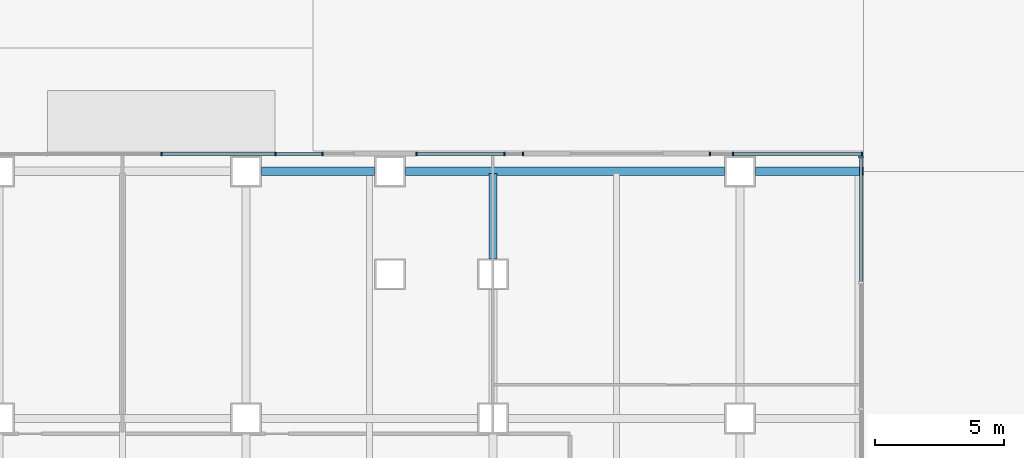
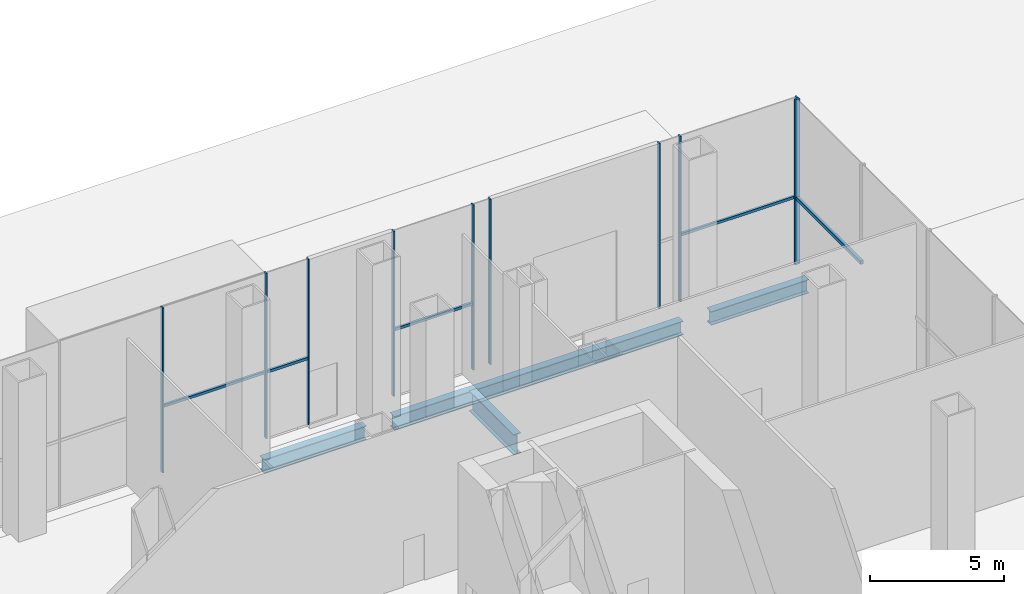
# One storey, part 18 of 36: 15 members, 4 beams, 4 elements without a shape of their own.
"""IFC4 building model written with IfcOpenShell, lengths in metres."""

from ifc_helpers import new_model, si_unit, direction, frame, origin, origin_2d, place, context, subcontext, project, spatial, rectangle, i_section, extrude, material, material_profile, profile_set, type_object, element, aggregate, save


model = new_model("IFC4")

# Units and contexts
model_context = context("Model", 3, precision=1e-05, world=origin(), true_north=direction((0.0, 1.0)))
body_context = subcontext(model_context, "Body", "Model", "MODEL_VIEW")
ifc_project = project(units=[si_unit("LENGTHUNIT", "METRE"), si_unit("AREAUNIT", "SQUARE_METRE"), si_unit("VOLUMEUNIT", "CUBIC_METRE"), si_unit("PLANEANGLEUNIT", "RADIAN"), si_unit("MASSUNIT", "GRAM", prefix="KILO")], contexts=[model_context])

# Site, building, storey
site_placement = place(None, origin())
site = spatial("IfcSite", under=ifc_project, at=site_placement, CompositionType="ELEMENT")
building_placement = place(site_placement, origin())
building = spatial("IfcBuilding", under=site, at=building_placement, Name="Cobrizo Arcos Hotel Tower", CompositionType="ELEMENT")
storey_placement = place(building_placement, origin())
storey = spatial("IfcBuildingStorey", under=building, at=storey_placement, Name="L00", CompositionType="ELEMENT", Elevation=0.0)

# Curtain wall, members
ifc_material_1 = material(Name="Aluminium 6063-T6 anodised bronze", Category="aluminium")
curtain_wall_type_1 = type_object("IfcCurtainWallType", Name="CW-A guest facade", PredefinedType="NOTDEFINED", material=ifc_material_1)
curtain_wall_1_placement = place(storey_placement, origin())
curtain_wall_1 = element("IfcCurtainWall", 1, at=curtain_wall_1_placement, inside=storey, type_object=curtain_wall_type_1, Name="CW-A L00 N face", PredefinedType="NOTDEFINED")
ifc_material_profile_1 = material_profile(ifc_material_1, rectangle(XDim=0.14990234375, YDim=0.06005859375, at=origin_2d()), Name="CW-A mullion 150x60")
ifc_profile_set_1 = profile_set([ifc_material_profile_1], Name="Aluminium 6063-T6 anodised bronze")
member_type_1 = type_object("IfcMemberType", Name="CW-A mullion 150x60", PredefinedType="MULLION", material=ifc_profile_set_1)
member_1_placement = place(storey_placement, frame((38.344970703125, 24.675048828125, 0.0), z_axis=(0.0, 0.0, 1.0), x_axis=(0.0, 1.0, 0.0)))
member_1 = element("IfcMember", 2, at=member_1_placement, type_object=member_type_1, Name="CW-A mullion 1", PredefinedType="MULLION", context=body_context, shape_type="SweptSolid", body=[
    extrude(rectangle(XDim=0.14990234375, YDim=0.06005859375, at=origin_2d()), origin(), (0.0, 0.0, 1.0), 7.5),
])
member_2_placement = place(storey_placement, frame((33.333251953125, 24.675048828125, 0.0), z_axis=(0.0, 0.0, 1.0), x_axis=(0.0, 1.0, 0.0)))
member_2 = element("IfcMember", 3, at=member_2_placement, type_object=member_type_1, Name="CW-A mullion 2", PredefinedType="MULLION", context=body_context, shape_type="SweptSolid", body=[
    extrude(rectangle(XDim=0.14990234375, YDim=0.06005859375, at=origin_2d()), origin(), (0.0, 0.0, 1.0), 7.5),
])
member_3_placement = place(storey_placement, frame((32.429931640625, 24.675048828125, 0.0), z_axis=(0.0, 0.0, 1.0), x_axis=(0.0, 1.0, 0.0)))
member_3 = element("IfcMember", 4, at=member_3_placement, type_object=member_type_1, Name="CW-A mullion 3", PredefinedType="MULLION", context=body_context, shape_type="SweptSolid", body=[
    extrude(rectangle(XDim=0.14990234375, YDim=0.06005859375, at=origin_2d()), origin(), (0.0, 0.0, 1.0), 7.5),
])

curtain_wall_2_placement = place(storey_placement, origin())
curtain_wall_2 = element("IfcCurtainWall", 5, at=curtain_wall_2_placement, inside=storey, type_object=curtain_wall_type_1, Name="CW-A L00 N face", PredefinedType="NOTDEFINED")
member_4_placement = place(storey_placement, frame((25.169921875, 24.675048828125, 0.0), z_axis=(0.0, 0.0, 1.0), x_axis=(0.0, 1.0, 0.0)))
member_4 = element("IfcMember", 6, at=member_4_placement, type_object=member_type_1, Name="CW-A mullion 1", PredefinedType="MULLION", context=body_context, shape_type="SweptSolid", body=[
    extrude(rectangle(XDim=0.14990234375, YDim=0.06005859375, at=origin_2d()), origin(), (0.0, 0.0, 1.0), 7.5),
])
member_5_placement = place(storey_placement, frame((24.4443359375, 24.675048828125, 0.0), z_axis=(0.0, 0.0, 1.0), x_axis=(0.0, 1.0, 0.0)))
member_5 = element("IfcMember", 7, at=member_5_placement, type_object=member_type_1, Name="CW-A mullion 2", PredefinedType="MULLION", context=body_context, shape_type="SweptSolid", body=[
    extrude(rectangle(XDim=0.14990234375, YDim=0.06005859375, at=origin_2d()), origin(), (0.0, 0.0, 1.0), 7.5),
])
member_6_placement = place(storey_placement, frame((21.030029296875, 24.675048828125, 0.0), z_axis=(0.0, 0.0, 1.0), x_axis=(0.0, 1.0, 0.0)))
member_6 = element("IfcMember", 8, at=member_6_placement, type_object=member_type_1, Name="CW-A mullion 3", PredefinedType="MULLION", context=body_context, shape_type="SweptSolid", body=[
    extrude(rectangle(XDim=0.14990234375, YDim=0.06005859375, at=origin_2d()), origin(), (0.0, 0.0, 1.0), 7.5),
])

curtain_wall_3_placement = place(storey_placement, origin())
curtain_wall_3 = element("IfcCurtainWall", 9, at=curtain_wall_3_placement, inside=storey, type_object=curtain_wall_type_1, Name="CW-A L00 N face", PredefinedType="NOTDEFINED")
member_7_placement = place(storey_placement, frame((17.3701171875, 24.675048828125, 0.0), z_axis=(0.0, 0.0, 1.0), x_axis=(0.0, 1.0, 0.0)))
member_7 = element("IfcMember", 10, at=member_7_placement, type_object=member_type_1, Name="CW-A mullion 1", PredefinedType="MULLION", context=body_context, shape_type="SweptSolid", body=[
    extrude(rectangle(XDim=0.14990234375, YDim=0.06005859375, at=origin_2d()), origin(), (0.0, 0.0, 1.0), 7.5),
])
member_8_placement = place(storey_placement, frame((15.5556640625, 24.675048828125, 0.0), z_axis=(0.0, 0.0, 1.0), x_axis=(0.0, 1.0, 0.0)))
member_8 = element("IfcMember", 11, at=member_8_placement, type_object=member_type_1, Name="CW-A mullion 2", PredefinedType="MULLION", context=body_context, shape_type="SweptSolid", body=[
    extrude(rectangle(XDim=0.14990234375, YDim=0.06005859375, at=origin_2d()), origin(), (0.0, 0.0, 1.0), 7.5),
])
member_9_placement = place(storey_placement, frame((11.111083984375, 24.675048828125, 0.0), z_axis=(0.0, 0.0, 1.0), x_axis=(0.0, 1.0, 0.0)))
member_9 = element("IfcMember", 12, at=member_9_placement, type_object=member_type_1, Name="CW-A mullion 3", PredefinedType="MULLION", context=body_context, shape_type="SweptSolid", body=[
    extrude(rectangle(XDim=0.14990234375, YDim=0.06005859375, at=origin_2d()), origin(), (0.0, 0.0, 1.0), 7.5),
])

# Member
ifc_material_profile_2 = material_profile(ifc_material_1, rectangle(XDim=0.10009765625, YDim=0.1201171875, at=origin_2d()), Name="CW-A transom 120x100")
ifc_profile_set_2 = profile_set([ifc_material_profile_2], Name="Aluminium 6063-T6 anodised bronze")
member_type_2 = type_object("IfcMemberType", Name="CW-A transom 120x100", PredefinedType="USERDEFINED", material=ifc_profile_set_2)
member_10_placement = place(storey_placement, frame((38.31494140625, 24.675048828125, 3.0), z_axis=(-1.0, 0.0, 0.0), x_axis=(0.0, -1.0, 0.0)))
member_10 = element("IfcMember", 13, at=member_10_placement, type_object=member_type_2, Name="CW-A transom 11", ObjectType="TRANSOM", PredefinedType="USERDEFINED", context=body_context, shape_type="SweptSolid", body=[
    extrude(rectangle(XDim=0.10009765625, YDim=0.1201171875, at=origin_2d()), origin(), (0.0, 0.0, 1.0), 4.95166015625),
])

aggregate(curtain_wall_1, [member_1, member_2, member_3, member_10])

member_11_placement = place(storey_placement, frame((24.41455078125, 24.675048828125, 3.0), z_axis=(-1.0, 0.0, 0.0), x_axis=(0.0, -1.0, 0.0)))
member_11 = element("IfcMember", 14, at=member_11_placement, type_object=member_type_2, Name="CW-A transom 14", ObjectType="TRANSOM", PredefinedType="USERDEFINED", context=body_context, shape_type="SweptSolid", body=[
    extrude(rectangle(XDim=0.10009765625, YDim=0.1201171875, at=origin_2d()), origin(), (0.0, 0.0, 1.0), 3.3544921875),
])

aggregate(curtain_wall_2, [member_4, member_5, member_6, member_11])

member_12_placement = place(storey_placement, frame((17.340087890625, 24.675048828125, 3.0), z_axis=(-1.0, 0.0, 0.0), x_axis=(0.0, -1.0, 0.0)))
member_12 = element("IfcMember", 15, at=member_12_placement, type_object=member_type_2, Name="CW-A transom 15", ObjectType="TRANSOM", PredefinedType="USERDEFINED", context=body_context, shape_type="SweptSolid", body=[
    extrude(rectangle(XDim=0.10009765625, YDim=0.1201171875, at=origin_2d()), origin(), (0.0, 0.0, 1.0), 1.754638671875),
])

member_13_placement = place(storey_placement, frame((15.525634765625, 24.675048828125, 3.0), z_axis=(-1.0, 0.0, 0.0), x_axis=(0.0, -1.0, 0.0)))
member_13 = element("IfcMember", 16, at=member_13_placement, type_object=member_type_2, Name="CW-A transom 16", ObjectType="TRANSOM", PredefinedType="USERDEFINED", context=body_context, shape_type="SweptSolid", body=[
    extrude(rectangle(XDim=0.10009765625, YDim=0.1201171875, at=origin_2d()), origin(), (0.0, 0.0, 1.0), 4.384521484375),
])

aggregate(curtain_wall_3, [member_7, member_8, member_9, member_12, member_13])

# Curtain wall, members
curtain_wall_type_2 = type_object("IfcCurtainWallType", Name="CW-B podium glazing", PredefinedType="NOTDEFINED", material=ifc_material_1)
curtain_wall_4_placement = place(storey_placement, origin())
curtain_wall_4 = element("IfcCurtainWall", 17, at=curtain_wall_4_placement, inside=storey, type_object=curtain_wall_type_2, Name="CW-B L00 E face", PredefinedType="NOTDEFINED")
ifc_material_profile_3 = material_profile(ifc_material_1, rectangle(XDim=0.199951171875, YDim=0.080078125, at=origin_2d()), Name="CW-B mullion 200x80")
ifc_profile_set_3 = profile_set([ifc_material_profile_3], Name="Aluminium 6063-T6 anodised bronze")
member_type_3 = type_object("IfcMemberType", Name="CW-B mullion 200x80", PredefinedType="MULLION", material=ifc_profile_set_3)
member_14_placement = place(storey_placement, frame((38.300048828125, 24.56005859375, 0.0), z_axis=(0.0, 0.0, 1.0), x_axis=(1.0, 0.0, 0.0)))
member_14 = element("IfcMember", 18, at=member_14_placement, type_object=member_type_3, Name="CW-B mullion 8", PredefinedType="MULLION", context=body_context, shape_type="SweptSolid", body=[
    extrude(rectangle(XDim=0.199951171875, YDim=0.080078125, at=origin_2d()), origin(), (0.0, 0.0, 1.0), 7.5),
])
ifc_material_profile_4 = material_profile(ifc_material_1, rectangle(XDim=0.1201171875, YDim=0.159912109375, at=origin_2d()), Name="CW-B transom 160x120")
ifc_profile_set_4 = profile_set([ifc_material_profile_4], Name="Aluminium 6063-T6 anodised bronze")
member_type_4 = type_object("IfcMemberType", Name="CW-B transom 160x120", PredefinedType="USERDEFINED", material=ifc_profile_set_4)
member_15_placement = place(storey_placement, frame((38.300048828125, 19.719970703125, 3.0), z_axis=(0.0, 1.0, 0.0), x_axis=(-1.0, 0.0, 0.0)))
member_15 = element("IfcMember", 19, at=member_15_placement, type_object=member_type_4, Name="CW-B transom 10", ObjectType="TRANSOM", PredefinedType="USERDEFINED", context=body_context, shape_type="SweptSolid", body=[
    extrude(rectangle(XDim=0.1201171875, YDim=0.159912109375, at=origin_2d()), origin(), (0.0, 0.0, 1.0), 4.800048828125),
])
aggregate(curtain_wall_4, [member_14, member_15])

# Beams
ifc_material_2 = material(Name="Steel ASTM A992 Grade 50", Category="steel")
ifc_material_profile_5 = material_profile(ifc_material_2, i_section(OverallWidth=0.32763671875, OverallDepth=0.622314453125, WebThickness=0.015380859375, FlangeThickness=0.0244140625, at=origin_2d()), Name="W24X131")
ifc_profile_set_5 = profile_set([ifc_material_profile_5], Name="Steel ASTM A992 Grade 50")
beam_type_1 = type_object("IfcBeamType", Name="W24X131 edge beam", PredefinedType="BEAM", material=ifc_profile_set_5)
beam_1_placement = place(storey_placement, frame((38.39990234375, 24.0, -0.611083984375), z_axis=(-1.0, 0.0, 0.0), x_axis=(0.0, -1.0, 0.0)))
element("IfcBeam", 20, at=beam_1_placement, inside=storey, type_object=beam_type_1, Name="Edge beam EB1, L00, no. 006", PredefinedType="BEAM", context=body_context, shape_type="SweptSolid", body=[
    extrude(i_section(OverallWidth=0.32763671875, OverallDepth=0.622314453125, WebThickness=0.015380859375, FlangeThickness=0.0244140625, at=origin_2d()), origin(), (0.0, 0.0, 1.0), 4.199951171875),
])
ifc_material_profile_6 = material_profile(ifc_material_2, i_section(OverallWidth=0.32763671875, OverallDepth=0.622314453125, WebThickness=0.015380859375, FlangeThickness=0.0244140625, at=origin_2d()), Name="W24X131")
ifc_profile_set_6 = profile_set([ifc_material_profile_6], Name="Steel ASTM A992 Grade 50")
beam_type_2 = type_object("IfcBeamType", Name="W24X131 spandrel", PredefinedType="SPANDREL", material=ifc_profile_set_6)
beam_2_placement = place(storey_placement, frame((33.0, 24.0, -0.611083984375), z_axis=(-1.0, 0.0, 0.0), x_axis=(0.0, -1.0, 0.0)))
element("IfcBeam", 21, at=beam_2_placement, inside=storey, type_object=beam_type_2, Name="Spandrel beam W24X131, L00, no. 001", PredefinedType="SPANDREL", context=body_context, shape_type="SweptSolid", body=[
    extrude(i_section(OverallWidth=0.32763671875, OverallDepth=0.622314453125, WebThickness=0.015380859375, FlangeThickness=0.0244140625, at=origin_2d()), origin(), (0.0, 0.0, 1.0), 12.39990234375),
])
beam_3_placement = place(storey_placement, frame((19.39990234375, 24.0, -0.611083984375), z_axis=(-1.0, 0.0, 0.0), x_axis=(0.0, -1.0, 0.0)))
element("IfcBeam", 22, at=beam_3_placement, inside=storey, type_object=beam_type_2, Name="Spandrel beam W24X131, L00, no. 002", PredefinedType="SPANDREL", context=body_context, shape_type="SweptSolid", body=[
    extrude(i_section(OverallWidth=0.32763671875, OverallDepth=0.622314453125, WebThickness=0.015380859375, FlangeThickness=0.0244140625, at=origin_2d()), origin(), (0.0, 0.0, 1.0), 4.39990234375),
])
ifc_material_profile_7 = material_profile(ifc_material_2, i_section(OverallWidth=0.307373046875, OverallDepth=0.927001953125, WebThickness=0.01953125, FlangeThickness=0.031982421875, at=origin_2d()), Name="W36X194")
ifc_profile_set_7 = profile_set([ifc_material_profile_7], Name="Steel ASTM A992 Grade 50")
beam_type_3 = type_object("IfcBeamType", Name="W36X194 podium girder", PredefinedType="BEAM", material=ifc_profile_set_7)
beam_4_placement = place(storey_placement, frame((24.0, 20.60009765625, -0.763427734375), z_axis=(0.0, 1.0, 0.0), x_axis=(-1.0, 0.0, 0.0)))
element("IfcBeam", 23, at=beam_4_placement, inside=storey, type_object=beam_type_3, Name="Podium girder PG1, L00, no. 071", PredefinedType="BEAM", context=body_context, shape_type="SweptSolid", body=[
    extrude(i_section(OverallWidth=0.307373046875, OverallDepth=0.927001953125, WebThickness=0.01953125, FlangeThickness=0.031982421875, at=origin_2d()), origin(), (0.0, 0.0, 1.0), 3.309814453125),
])

save(model, "model.ifc")
